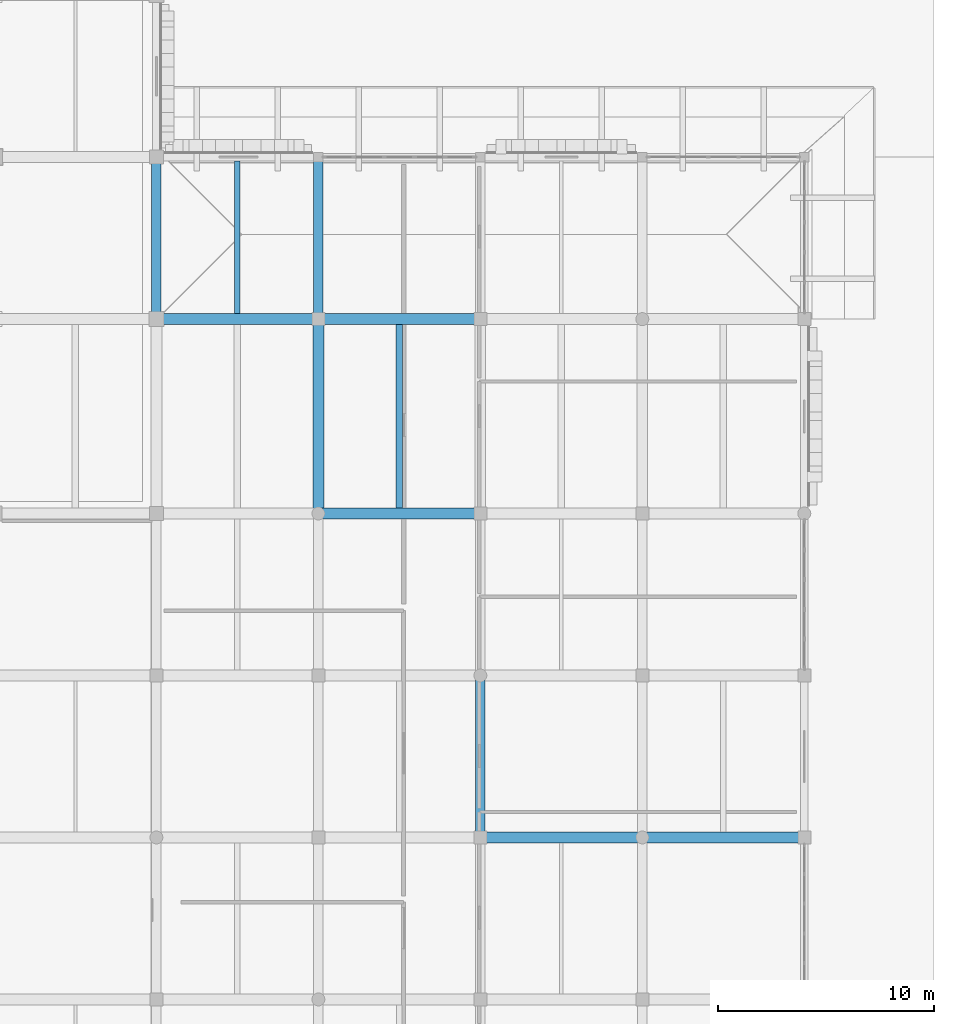
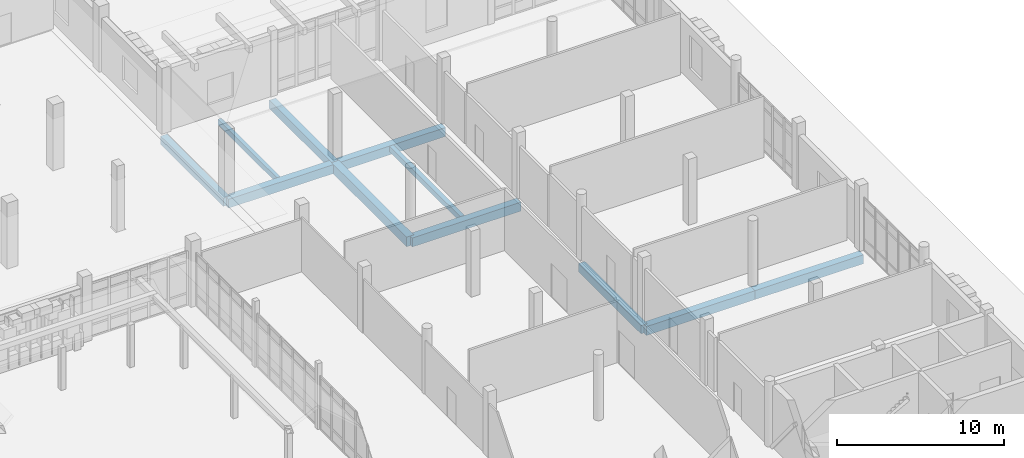
# One storey, part 64 of 125: 11 beams.
"""IFC4 building model written with IfcOpenShell, lengths in metres."""

from ifc_helpers import new_model, si_unit, direction, frame, origin, origin_2d, place, context, subcontext, project, spatial, rectangle, extrude, material, material_profile, profile_set, type_object, element, save


model = new_model("IFC4")

# Units and contexts
model_context = context("Model", 3, precision=1e-05, world=origin(), true_north=direction((0.0, 1.0)))
body_context = subcontext(model_context, "Body", "Model", "MODEL_VIEW")
ifc_project = project(units=[si_unit("LENGTHUNIT", "METRE"), si_unit("AREAUNIT", "SQUARE_METRE"), si_unit("VOLUMEUNIT", "CUBIC_METRE"), si_unit("PLANEANGLEUNIT", "RADIAN"), si_unit("MASSUNIT", "GRAM", prefix="KILO")], contexts=[model_context])

# Site, building, storey
site_placement = place(None, origin())
site = spatial("IfcSite", under=ifc_project, at=site_placement, CompositionType="ELEMENT")
building_placement = place(site_placement, origin())
building = spatial("IfcBuilding", under=site, at=building_placement, Name="Dalvernix Boulevard General Hospital", CompositionType="ELEMENT")
storey_placement = place(building_placement, origin())
storey = spatial("IfcBuildingStorey", under=building, at=storey_placement, Name="L00", CompositionType="ELEMENT", Elevation=0.0)

# Beams
ifc_material = material(Name="Concrete C35/45", Category="concrete")
ifc_material_profile_1 = material_profile(ifc_material, rectangle(XDim=0.5, YDim=0.699951171875, at=origin_2d()), Name="RCB 500x700")
ifc_profile_set_1 = profile_set([ifc_material_profile_1], Name="Concrete C35/45")
beam_type_1 = type_object("IfcBeamType", Name="BM-B-01-I", PredefinedType="BEAM", material=ifc_profile_set_1)
beam_1_placement = place(storey_placement, frame((150.0, 76.5, -0.7099609375), z_axis=(0.0, 1.0, 0.0), x_axis=(-1.0, 0.0, 0.0)))
element("IfcBeam", 1, at=beam_1_placement, inside=storey, type_object=beam_type_1, Name="L00 N-S girder 21:L-M", PredefinedType="BEAM", context=body_context, shape_type="SweptSolid", body=[
    extrude(rectangle(XDim=0.5, YDim=0.699951171875, at=origin_2d()), origin(), (0.0, 0.0, 1.0), 9.0),
])
ifc_material_profile_2 = material_profile(ifc_material, rectangle(XDim=0.5, YDim=0.64990234375, at=origin_2d()), Name="RCB 500x650")
ifc_profile_set_2 = profile_set([ifc_material_profile_2], Name="Concrete C35/45")
beam_type_2 = type_object("IfcBeamType", Name="BM-B-02-I", PredefinedType="BEAM", material=ifc_profile_set_2)
for number, where, z_axis, x_axis, name in (
    (2, (157.5, 61.5, -0.68505859375), (1.0, 0.0, 0.0), (0.0, 1.0, 0.0), "L00 E-W girder J:22-23"),
    (3, (165.0, 61.5, -0.68505859375), (1.0, 0.0, 0.0), (0.0, 1.0, 0.0), "L00 E-W girder J:23-24"),
    (4, (150.0, 76.5, -0.68505859375), (1.0, 0.0, 0.0), (0.0, 1.0, 0.0), "L00 E-W girder L:21-22"),
    (5, (142.5, 85.5, -0.68505859375), (1.0, 0.0, 0.0), (0.0, 1.0, 0.0), "L00 E-W girder M:20-21"),
    (6, (150.0, 85.5, -0.68505859375), (1.0, 0.0, 0.0), (0.0, 1.0, 0.0), "L00 E-W girder M:21-22"),
):
    element("IfcBeam", number, at=place(storey_placement, frame(where, z_axis=z_axis, x_axis=x_axis)), inside=storey, type_object=beam_type_2, Name=name, PredefinedType="BEAM", context=body_context, shape_type="SweptSolid", body=[
        extrude(rectangle(XDim=0.5, YDim=0.64990234375, at=origin_2d()), origin(), (0.0, 0.0, 1.0), 7.5),
    ])
ifc_material_profile_3 = material_profile(ifc_material, rectangle(XDim=0.449951171875, YDim=0.60009765625, at=origin_2d()), Name="RCB 450x600")
ifc_profile_set_3 = profile_set([ifc_material_profile_3], Name="Concrete C35/45")
beam_type_3 = type_object("IfcBeamType", Name="BM-B-04-I", PredefinedType="BEAM", material=ifc_profile_set_3)
for number, where, z_axis, x_axis, name in (
    (7, (142.5, 85.5, -0.659912109375), (0.0, 1.0, 0.0), (-1.0, 0.0, 0.0), "L00 N-S girder 20:M-N"),
    (8, (150.0, 85.5, -0.659912109375), (0.0, 1.0, 0.0), (-1.0, 0.0, 0.0), "L00 N-S girder 21:M-N"),
    (9, (157.5, 61.5, -0.659912109375), (0.0, 1.0, 0.0), (-1.0, 0.0, 0.0), "L00 N-S girder 22:J-K"),
):
    element("IfcBeam", number, at=place(storey_placement, frame(where, z_axis=z_axis, x_axis=x_axis)), inside=storey, type_object=beam_type_3, Name=name, PredefinedType="BEAM", context=body_context, shape_type="SweptSolid", body=[
        extrude(rectangle(XDim=0.449951171875, YDim=0.60009765625, at=origin_2d()), origin(), (0.0, 0.0, 1.0), 7.5),
    ])
ifc_material_profile_4 = material_profile(ifc_material, rectangle(XDim=0.300048828125, YDim=0.39990234375, at=origin_2d()), Name="RCB 300x400")
ifc_profile_set_4 = profile_set([ifc_material_profile_4], Name="Concrete C35/45")
beam_type_4 = type_object("IfcBeamType", Name="BM-JB-01", PredefinedType="JOIST", material=ifc_profile_set_4)
beam_2_placement = place(storey_placement, frame((153.75, 76.75, -0.56005859375), z_axis=(0.0, 1.0, 0.0), x_axis=(-1.0, 0.0, 0.0)))
element("IfcBeam", 10, at=beam_2_placement, inside=storey, type_object=beam_type_4, Name="L00 secondary floor beam 21-L", PredefinedType="JOIST", context=body_context, shape_type="SweptSolid", body=[
    extrude(rectangle(XDim=0.300048828125, YDim=0.39990234375, at=origin_2d()), origin(), (0.0, 0.0, 1.0), 8.5),
])
ifc_material_profile_5 = material_profile(ifc_material, rectangle(XDim=0.25, YDim=0.39990234375, at=origin_2d()), Name="RCB 250x400")
ifc_profile_set_5 = profile_set([ifc_material_profile_5], Name="Concrete C35/45")
beam_type_5 = type_object("IfcBeamType", Name="BM-JB-02", PredefinedType="JOIST", material=ifc_profile_set_5)
beam_3_placement = place(storey_placement, frame((146.25, 85.75, -0.56005859375), z_axis=(0.0, 1.0, 0.0), x_axis=(-1.0, 0.0, 0.0)))
element("IfcBeam", 11, at=beam_3_placement, inside=storey, type_object=beam_type_5, Name="L00 secondary floor beam 20-M", PredefinedType="JOIST", context=body_context, shape_type="SweptSolid", body=[
    extrude(rectangle(XDim=0.25, YDim=0.39990234375, at=origin_2d()), origin(), (0.0, 0.0, 1.0), 7.074951171875),
])

save(model, "model.ifc")
